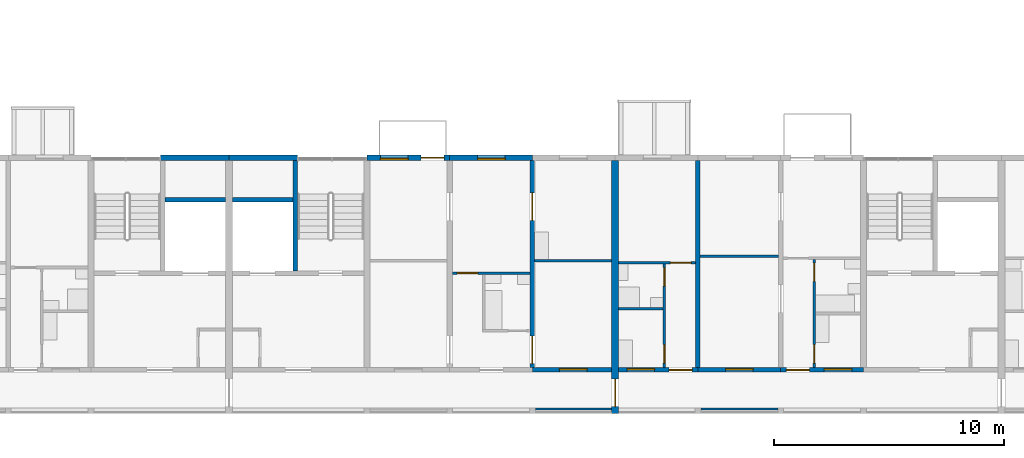
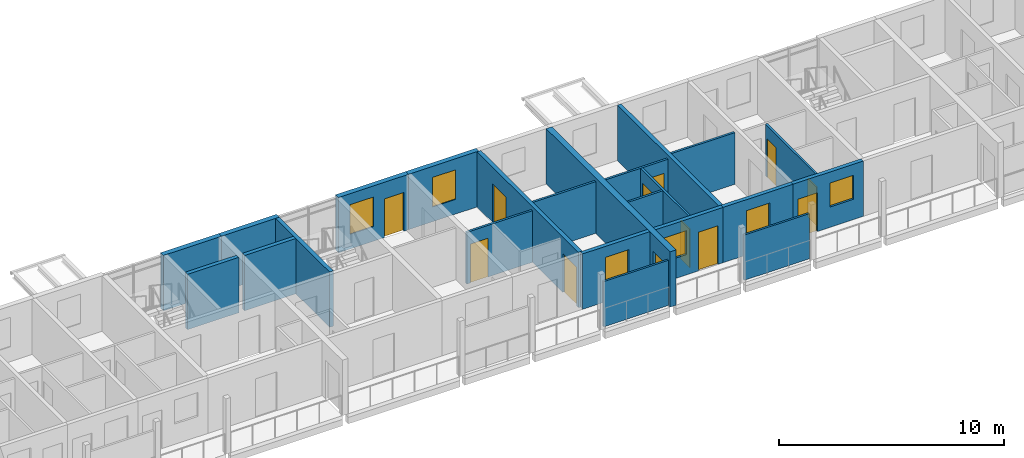
# One storey, part 32 of 93: 23 walls, 12 doors, 6 windows, 18 openings.
"""IFC4 building model written with IfcOpenShell, lengths in metres."""

from ifc_helpers import new_model, si_unit, direction, frame, frame_2d, origin, place, context, subcontext, project, spatial, rectangle, extrude, material, layer, layer_set, type_object, element, fill, save


model = new_model("IFC4")

# Units and contexts
model_context = context("Model", 3, precision=1e-05, world=origin(), true_north=direction((0.0, 1.0)))
body_context = subcontext(model_context, "Body", "Model", "MODEL_VIEW")
ifc_project = project(units=[si_unit("LENGTHUNIT", "METRE"), si_unit("AREAUNIT", "SQUARE_METRE"), si_unit("VOLUMEUNIT", "CUBIC_METRE"), si_unit("PLANEANGLEUNIT", "RADIAN"), si_unit("MASSUNIT", "GRAM", prefix="KILO")], contexts=[model_context])

# Site, building, storey
site_placement = place(None, origin())
site = spatial("IfcSite", under=ifc_project, at=site_placement, CompositionType="ELEMENT")
building_placement = place(site_placement, origin())
building = spatial("IfcBuilding", under=site, at=building_placement, Name="Ridgestep Commons", CompositionType="ELEMENT")
storey_placement = place(building_placement, frame((0.0, 0.0, 18.0)))
storey = spatial("IfcBuildingStorey", under=building, at=storey_placement, Name="L06", CompositionType="ELEMENT", Elevation=18.0)

# Walls
ifc_material_1 = material(Name="Concrete C30/37", Category="concrete")
ifc_layer_1 = layer(ifc_material_1, 0.199951171875)
ifc_layer_set_1 = layer_set([ifc_layer_1], Name="Core wall 200")
wall_type_1 = type_object("IfcWallType", Name="Core wall 200", PredefinedType="SHEAR", material=ifc_layer_set_1)
wall_1_placement = place(storey_placement, frame((42.824951171875, 21.050048828125, 0.0), z_axis=(0.0, 0.0, 1.0), x_axis=(1.0, 0.0, 0.0)))
element("IfcWall", 1, at=wall_1_placement, inside=storey, type_object=wall_type_1, Name="Core duct wall A2C L06", PredefinedType="SHEAR", context=body_context, shape_type="SweptSolid", body=[
    extrude(rectangle(XDim=2.625, YDim=0.199951171875, at=frame_2d((1.3125, 0.0))), origin(), (0.0, 0.0, 1.0), 3.0),
])
wall_2_placement = place(storey_placement, frame((48.47509765625, 17.949951171875, 0.0), z_axis=(0.0, 0.0, 1.0), x_axis=(0.0, 1.0, 0.0)))
element("IfcWall", 2, at=wall_2_placement, inside=storey, type_object=wall_type_1, Name="Core stair wall A3C L06", PredefinedType="SHEAR", context=body_context, shape_type="SweptSolid", body=[
    extrude(rectangle(XDim=4.800048828125, YDim=0.199951171875, at=frame_2d((2.39990234375, 0.0))), origin(), (0.0, 0.0, 1.0), 3.0),
])
wall_3_placement = place(storey_placement, frame((45.75, 21.050048828125, 0.0), z_axis=(0.0, 0.0, 1.0), x_axis=(1.0, 0.0, 0.0)))
element("IfcWall", 3, at=wall_3_placement, inside=storey, type_object=wall_type_1, Name="Core duct wall A3C L06", PredefinedType="SHEAR", context=body_context, shape_type="SweptSolid", body=[
    extrude(rectangle(XDim=2.625, YDim=0.199951171875, at=frame_2d((1.3125, 0.0))), origin(), (0.0, 0.0, 1.0), 3.0),
])

# Wall, openings, doors
ifc_material_2 = material(Name="Precast concrete C40/50", Category="concrete")
ifc_layer_2 = layer(ifc_material_2, 0.199951171875)
ifc_layer_set_2 = layer_set([ifc_layer_2], Name="Cross wall 200")
wall_type_2 = type_object("IfcWallType", Name="Cross wall 200", PredefinedType="SHEAR", material=ifc_layer_set_2)
wall_4_placement = place(storey_placement, frame((58.800048828125, 13.75, 0.0), z_axis=(0.0, 0.0, 1.0), x_axis=(0.0, 1.0, 0.0)))
wall_4 = element("IfcWall", 4, at=wall_4_placement, inside=storey, type_object=wall_type_2, Name="Cross wall A-06-0588", PredefinedType="SHEAR", context=body_context, shape_type="SweptSolid", body=[
    extrude(rectangle(XDim=9.0, YDim=0.199951171875, at=frame_2d((4.5, 0.0))), origin(), (0.0, 0.0, 1.0), 3.0),
])
opening_1_placement = place(wall_4_placement, frame((0.175048828125, 0.0, 0.0)))
opening_1 = element("IfcOpeningElement", 5, at=opening_1_placement, cuts=wall_4, Name="Opening A3-06a/6", PredefinedType="OPENING", context=body_context, shape_type="SweptSolid", body=[
    extrude(rectangle(XDim=1.199951171875, YDim=2.10009765625, at=frame_2d((0.60009765625, 1.050048828125))), frame((0.0, 0.10986328125, 0.0), z_axis=(0.0, -1.0, 0.0), x_axis=(1.0, 0.0, 0.0)), (0.0, 0.0, 1.0), 0.219970703125),
])
opening_2_placement = place(wall_4_placement, frame((6.39990234375, 0.0, 0.0)))
opening_2 = element("IfcOpeningElement", 6, at=opening_2_placement, cuts=wall_4, Name="Opening A3-06a/7", PredefinedType="OPENING", context=body_context, shape_type="SweptSolid", body=[
    extrude(rectangle(XDim=1.199951171875, YDim=2.10009765625, at=frame_2d((0.60009765625, 1.050048828125))), frame((0.0, 0.10986328125, 0.0), z_axis=(0.0, -1.0, 0.0), x_axis=(1.0, 0.0, 0.0)), (0.0, 0.0, 1.0), 0.219970703125),
])
ifc_material_3 = material(Name="Timber door leaf", Category="wood")
door_type_1 = type_object("IfcDoorType", Name="Double door 1200 x 2100", OperationType="DOUBLE_DOOR_SINGLE_SWING", PredefinedType="DOOR", material=ifc_material_3)
door_1_placement = place(opening_1_placement, origin())
door_1 = element("IfcDoor", 7, at=door_1_placement, inside=storey, type_object=door_type_1, Name="Double door A3-06a/6", OperationType="DOUBLE_DOOR_SINGLE_SWING", OverallHeight=2.10009765625, OverallWidth=1.199951171875, PredefinedType="DOOR", context=body_context, shape_type="SweptSolid", body=[
    extrude(rectangle(XDim=1.199951171875, YDim=2.10009765625, at=frame_2d((0.60009765625, 1.050048828125))), frame((0.0, 0.02490234375, 0.0), z_axis=(0.0, -1.0, 0.0), x_axis=(1.0, 0.0, 0.0)), (0.0, 0.0, 1.0), 0.050048828125),
])
fill(opening_1, door_1)
door_2_placement = place(opening_2_placement, origin())
door_2 = element("IfcDoor", 8, at=door_2_placement, inside=storey, type_object=door_type_1, Name="Double door A3-06a/7", OperationType="DOUBLE_DOOR_SINGLE_SWING", OverallHeight=2.10009765625, OverallWidth=1.199951171875, PredefinedType="DOOR", context=body_context, shape_type="SweptSolid", body=[
    extrude(rectangle(XDim=1.199951171875, YDim=2.10009765625, at=frame_2d((0.60009765625, 1.050048828125))), frame((0.0, 0.02490234375, 0.0), z_axis=(0.0, -1.0, 0.0), x_axis=(1.0, 0.0, 0.0)), (0.0, 0.0, 1.0), 0.050048828125),
])
fill(opening_2, door_2)

# Wall
wall_5_placement = place(storey_placement, frame((66.0, 13.75, 0.0), z_axis=(0.0, 0.0, 1.0), x_axis=(0.0, 1.0, 0.0)))
element("IfcWall", 9, at=wall_5_placement, inside=storey, type_object=wall_type_2, Name="Cross wall A-06-0660", PredefinedType="SHEAR", context=body_context, shape_type="SweptSolid", body=[
    extrude(rectangle(XDim=9.0, YDim=0.199951171875, at=frame_2d((4.5, 0.0))), origin(), (0.0, 0.0, 1.0), 3.0),
])

# Wall, opening, door
ifc_material_4 = material(Name="Precast concrete C40/50", Category="concrete")
ifc_layer_3 = layer(ifc_material_4, 0.300048828125)
ifc_layer_set_3 = layer_set([ifc_layer_3], Name="Division wall 300")
wall_type_3 = type_object("IfcWallType", Name="Division wall 300", PredefinedType="SHEAR", material=ifc_layer_set_3)
wall_6_placement = place(storey_placement, frame((62.39990234375, 11.75, 0.0), z_axis=(0.0, 0.0, 1.0), x_axis=(0.0, 1.0, 0.0)))
wall_6 = element("IfcWall", 10, at=wall_6_placement, inside=storey, type_object=wall_type_3, Name="Cross wall A-06-0624", PredefinedType="SHEAR", context=body_context, shape_type="SweptSolid", body=[
    extrude(rectangle(XDim=11.0, YDim=0.300048828125, at=frame_2d((5.5, 0.0))), origin(), (0.0, 0.0, 1.0), 3.0),
])
opening_3_placement = place(wall_6_placement, frame((0.300048828125, 0.0, 0.0)))
opening_3 = element("IfcOpeningElement", 11, at=opening_3_placement, cuts=wall_6, Name="Opening A/06/G0624", PredefinedType="OPENING", context=body_context, shape_type="SweptSolid", body=[
    extrude(rectangle(XDim=1.199951171875, YDim=2.10009765625, at=frame_2d((0.60009765625, 1.050048828125))), frame((0.0, 0.159912109375, 0.0), z_axis=(0.0, -1.0, 0.0), x_axis=(1.0, 0.0, 0.0)), (0.0, 0.0, 1.0), 0.320068359375),
])
ifc_material_5 = material(Name="Steel fire door", Category="steel")
door_type_2 = type_object("IfcDoorType", Name="Division fire door 1200 x 2100 EI 240", OperationType="DOUBLE_DOOR_SINGLE_SWING", PredefinedType="DOOR", material=ifc_material_5)
door_3_placement = place(opening_3_placement, origin())
door_3 = element("IfcDoor", 12, at=door_3_placement, inside=storey, type_object=door_type_2, Name="Division fire door A/06/G0624", OperationType="DOUBLE_DOOR_SINGLE_SWING", OverallHeight=2.10009765625, OverallWidth=1.199951171875, PredefinedType="DOOR", context=body_context, shape_type="SweptSolid", body=[
    extrude(rectangle(XDim=1.199951171875, YDim=2.10009765625, at=frame_2d((0.60009765625, 1.050048828125))), frame((0.0, 0.02490234375, 0.0), z_axis=(0.0, -1.0, 0.0), x_axis=(1.0, 0.0, 0.0)), (0.0, 0.0, 1.0), 0.050048828125),
])
fill(opening_3, door_3)

# Walls
ifc_material_6 = material(Name="Precast concrete C40/50", Category="concrete")
ifc_layer_4 = layer(ifc_material_6, 0.25)
ifc_layer_set_4 = layer_set([ifc_layer_4], Name="North facade panel 250")
wall_type_4 = type_object("IfcWallType", Name="North facade panel 250", PredefinedType="SOLIDWALL", material=ifc_layer_set_4)
wall_7_placement = place(storey_placement, frame((42.625, 22.875, 0.0), z_axis=(0.0, 0.0, 1.0), x_axis=(1.0, 0.0, 0.0)))
element("IfcWall", 13, at=wall_7_placement, inside=storey, type_object=wall_type_4, Name="North panel A2C L06", PredefinedType="SOLIDWALL", context=body_context, shape_type="SweptSolid", body=[
    extrude(rectangle(XDim=2.97509765625, YDim=0.25, at=frame_2d((1.487548828125, 0.0))), origin(), (0.0, 0.0, 1.0), 3.0),
])
wall_8_placement = place(storey_placement, frame((45.60009765625, 22.875, 0.0), z_axis=(0.0, 0.0, 1.0), x_axis=(1.0, 0.0, 0.0)))
element("IfcWall", 14, at=wall_8_placement, inside=storey, type_object=wall_type_4, Name="North panel A3C L06", PredefinedType="SOLIDWALL", context=body_context, shape_type="SweptSolid", body=[
    extrude(rectangle(XDim=2.974853515625, YDim=0.25, at=frame_2d((1.4873046875, 0.0))), origin(), (0.0, 0.0, 1.0), 3.0),
])

# Wall, openings, door, window
wall_9_placement = place(storey_placement, frame((51.60009765625, 22.875, 0.0), z_axis=(0.0, 0.0, 1.0), x_axis=(1.0, 0.0, 0.0)))
wall_9 = element("IfcWall", 15, at=wall_9_placement, inside=storey, type_object=wall_type_4, Name="North panel A3T3 L06", PredefinedType="SOLIDWALL", context=body_context, shape_type="SweptSolid", body=[
    extrude(rectangle(XDim=3.599853515625, YDim=0.25, at=frame_2d((1.7998046875, 0.0))), origin(), (0.0, 0.0, 1.0), 3.0),
])
opening_4_placement = place(wall_9_placement, frame((0.591064453125, 0.0, 0.800048828125)))
opening_4 = element("IfcOpeningElement", 16, at=opening_4_placement, cuts=wall_9, Name="Opening W11", PredefinedType="OPENING", context=body_context, shape_type="SweptSolid", body=[
    extrude(rectangle(XDim=1.199951171875, YDim=1.60009765625, at=frame_2d((0.60009765625, 0.800048828125))), frame((0.0, 0.135009765625, 0.0), z_axis=(0.0, -1.0, 0.0), x_axis=(1.0, 0.0, 0.0)), (0.0, 0.0, 1.0), 0.27001953125),
])
opening_5_placement = place(wall_9_placement, frame((2.35693359375, 0.0, 0.0)))
opening_5 = element("IfcOpeningElement", 17, at=opening_5_placement, cuts=wall_9, Name="Opening A3-06a/8", PredefinedType="OPENING", context=body_context, shape_type="SweptSolid", body=[
    extrude(rectangle(XDim=1.0, YDim=2.10009765625, at=frame_2d((0.5, 1.050048828125))), frame((0.0, 0.135009765625, 0.0), z_axis=(0.0, -1.0, 0.0), x_axis=(1.0, 0.0, 0.0)), (0.0, 0.0, 1.0), 0.27001953125),
])
ifc_material_7 = material(Name="Aluminium and glass", Category="aluminium")
door_type_3 = type_object("IfcDoorType", Name="Balcony door 1000 x 2100", OperationType="NOTDEFINED", PredefinedType="DOOR", material=ifc_material_7)
door_4_placement = place(opening_5_placement, origin())
door_4 = element("IfcDoor", 18, at=door_4_placement, inside=storey, type_object=door_type_3, Name="Balcony door A3-06a/8", OperationType="SINGLE_SWING_LEFT", OverallHeight=2.10009765625, OverallWidth=1.0, PredefinedType="DOOR", context=body_context, shape_type="SweptSolid", body=[
    extrude(rectangle(XDim=1.0, YDim=2.10009765625, at=frame_2d((0.5, 1.050048828125))), frame((0.0, 0.02490234375, 0.0), z_axis=(0.0, -1.0, 0.0), x_axis=(1.0, 0.0, 0.0)), (0.0, 0.0, 1.0), 0.050048828125),
])
fill(opening_5, door_4)
ifc_material_8 = material(Name="Aluminium 6063-T6 and glass", Category="aluminium")
window_type_1 = type_object("IfcWindowType", Name="Flat window 1200 x 1600", PartitioningType="SINGLE_PANEL", PredefinedType="WINDOW", material=ifc_material_8)
window_1_placement = place(opening_4_placement, origin())
window_1 = element("IfcWindow", 19, at=window_1_placement, inside=storey, type_object=window_type_1, Name="Window A3-06a 2", OverallHeight=1.60009765625, OverallWidth=1.199951171875, PartitioningType="SINGLE_PANEL", PredefinedType="WINDOW", context=body_context, shape_type="SweptSolid", body=[
    extrude(rectangle(XDim=1.199951171875, YDim=1.60009765625, at=frame_2d((0.60009765625, 0.800048828125))), frame((0.0, -0.02490234375, 0.0), z_axis=(0.0, -1.0, 0.0), x_axis=(1.0, 0.0, 0.0)), (0.0, 0.0, 1.0), 0.06005859375),
])
fill(opening_4, window_1)

# Wall, opening, window
wall_10_placement = place(storey_placement, frame((55.199951171875, 22.875, 0.0), z_axis=(0.0, 0.0, 1.0), x_axis=(1.0, 0.0, 0.0)))
wall_10 = element("IfcWall", 20, at=wall_10_placement, inside=storey, type_object=wall_type_4, Name="North panel A3T2 L06", PredefinedType="SOLIDWALL", context=body_context, shape_type="SweptSolid", body=[
    extrude(rectangle(XDim=3.60009765625, YDim=0.25, at=frame_2d((1.800048828125, 0.0))), origin(), (0.0, 0.0, 1.0), 3.0),
])
opening_6_placement = place(wall_10_placement, frame((1.21240234375, 0.0, 0.800048828125)))
opening_6 = element("IfcOpeningElement", 21, at=opening_6_placement, cuts=wall_10, Name="Opening W11", PredefinedType="OPENING", context=body_context, shape_type="SweptSolid", body=[
    extrude(rectangle(XDim=1.199951171875, YDim=1.60009765625, at=frame_2d((0.60009765625, 0.800048828125))), frame((0.0, 0.135009765625, 0.0), z_axis=(0.0, -1.0, 0.0), x_axis=(1.0, 0.0, 0.0)), (0.0, 0.0, 1.0), 0.27001953125),
])
window_2_placement = place(opening_6_placement, origin())
window_2 = element("IfcWindow", 22, at=window_2_placement, inside=storey, type_object=window_type_1, Name="Window A3-06a 5", OverallHeight=1.60009765625, OverallWidth=1.199951171875, PartitioningType="SINGLE_PANEL", PredefinedType="WINDOW", context=body_context, shape_type="SweptSolid", body=[
    extrude(rectangle(XDim=1.199951171875, YDim=1.60009765625, at=frame_2d((0.60009765625, 0.800048828125))), frame((0.0, -0.02490234375, 0.0), z_axis=(0.0, -1.0, 0.0), x_axis=(1.0, 0.0, 0.0)), (0.0, 0.0, 1.0), 0.06005859375),
])
fill(opening_6, window_2)

# Wall, opening, door
ifc_material_9 = material(Name="Common brick 110 mm", Category="masonry")
ifc_layer_5 = layer(ifc_material_9, 0.110107421875)
ifc_layer_set_5 = layer_set([ifc_layer_5], Name="Partition 110")
wall_type_5 = type_object("IfcWallType", Name="Partition 110", PredefinedType="PARTITIONING", material=ifc_layer_set_5)
wall_11_placement = place(storey_placement, frame((55.324951171875, 17.864990234375, 0.0), z_axis=(0.0, 0.0, 1.0), x_axis=(1.0, 0.0, 0.0)))
wall_11 = element("IfcWall", 23, at=wall_11_placement, inside=storey, type_object=wall_type_5, Name="Partition A3-06a", PredefinedType="PARTITIONING", context=body_context, shape_type="SweptSolid", body=[
    extrude(rectangle(XDim=3.375, YDim=0.110107421875, at=frame_2d((1.6875, 0.0))), origin(), (0.0, 0.0, 1.0), 2.800048828125),
])
opening_7_placement = place(wall_11_placement, frame((0.199951171875, 0.0, 0.0)))
opening_7 = element("IfcOpeningElement", 24, at=opening_7_placement, cuts=wall_11, Name="Opening A3-06a/3", PredefinedType="OPENING", context=body_context, shape_type="SweptSolid", body=[
    extrude(rectangle(XDim=0.89990234375, YDim=2.10009765625, at=frame_2d((0.449951171875, 1.050048828125))), frame((0.0, 0.06494140625, 0.0), z_axis=(0.0, -1.0, 0.0), x_axis=(1.0, 0.0, 0.0)), (0.0, 0.0, 1.0), 0.130126953125),
])
ifc_material_10 = material(Name="Timber door leaf", Category="wood")
door_type_4 = type_object("IfcDoorType", Name="Internal door 900 x 2100", OperationType="NOTDEFINED", PredefinedType="DOOR", material=ifc_material_10)
door_5_placement = place(opening_7_placement, origin())
door_5 = element("IfcDoor", 25, at=door_5_placement, inside=storey, type_object=door_type_4, Name="Internal door A3-06a/3", OperationType="SINGLE_SWING_LEFT", OverallHeight=2.10009765625, OverallWidth=0.89990234375, PredefinedType="DOOR", context=body_context, shape_type="SweptSolid", body=[
    extrude(rectangle(XDim=0.89990234375, YDim=2.10009765625, at=frame_2d((0.449951171875, 1.050048828125))), frame((0.0, 0.02490234375, 0.0), z_axis=(0.0, -1.0, 0.0), x_axis=(1.0, 0.0, 0.0)), (0.0, 0.0, 1.0), 0.050048828125),
])
fill(opening_7, door_5)

# Walls
wall_12_placement = place(storey_placement, frame((58.89990234375, 18.405029296875, 0.0), z_axis=(0.0, 0.0, 1.0), x_axis=(1.0, 0.0, 0.0)))
element("IfcWall", 26, at=wall_12_placement, inside=storey, type_object=wall_type_5, Name="Partition A3-06a", PredefinedType="PARTITIONING", context=body_context, shape_type="SweptSolid", body=[
    extrude(rectangle(XDim=3.35009765625, YDim=0.110107421875, at=frame_2d((1.675048828125, 0.0))), origin(), (0.0, 0.0, 1.0), 2.800048828125),
])
wall_13_placement = place(storey_placement, frame((62.550048828125, 16.304931640625, 0.0), z_axis=(0.0, 0.0, 1.0), x_axis=(1.0, 0.0, 0.0)))
element("IfcWall", 27, at=wall_13_placement, inside=storey, type_object=wall_type_5, Name="Partition A4-06a", PredefinedType="PARTITIONING", context=body_context, shape_type="SweptSolid", body=[
    extrude(rectangle(XDim=1.93994140625, YDim=0.110107421875, at=frame_2d((0.969970703125, 0.0))), origin(), (0.0, 0.0, 1.0), 2.800048828125),
])

# Wall, openings, doors
wall_14_placement = place(storey_placement, frame((64.544921875, 13.75, 0.0), z_axis=(0.0, 0.0, 1.0), x_axis=(0.0, 1.0, 0.0)))
wall_14 = element("IfcWall", 28, at=wall_14_placement, inside=storey, type_object=wall_type_5, Name="Partition A4-06a", PredefinedType="PARTITIONING", context=body_context, shape_type="SweptSolid", body=[
    extrude(rectangle(XDim=4.5, YDim=0.110107421875, at=frame_2d((2.25, 0.0))), origin(), (0.0, 0.0, 1.0), 2.800048828125),
])
opening_8_placement = place(wall_14_placement, frame((0.199951171875, 0.0, 0.0)))
opening_8 = element("IfcOpeningElement", 29, at=opening_8_placement, cuts=wall_14, Name="Opening A4-06a/2", PredefinedType="OPENING", context=body_context, shape_type="SweptSolid", body=[
    extrude(rectangle(XDim=0.800048828125, YDim=2.10009765625, at=frame_2d((0.39990234375, 1.050048828125))), frame((0.0, 0.06494140625, 0.0), z_axis=(0.0, -1.0, 0.0), x_axis=(1.0, 0.0, 0.0)), (0.0, 0.0, 1.0), 0.130126953125),
])
opening_9_placement = place(wall_14_placement, frame((3.550048828125, 0.0, 0.0)))
opening_9 = element("IfcOpeningElement", 30, at=opening_9_placement, cuts=wall_14, Name="Opening A4-06a/3", PredefinedType="OPENING", context=body_context, shape_type="SweptSolid", body=[
    extrude(rectangle(XDim=0.800048828125, YDim=2.10009765625, at=frame_2d((0.39990234375, 1.050048828125))), frame((0.0, 0.06494140625, 0.0), z_axis=(0.0, -1.0, 0.0), x_axis=(1.0, 0.0, 0.0)), (0.0, 0.0, 1.0), 0.130126953125),
])
ifc_material_11 = material(Name="Timber door leaf", Category="wood")
door_type_5 = type_object("IfcDoorType", Name="Internal door 800 x 2100", OperationType="NOTDEFINED", PredefinedType="DOOR", material=ifc_material_11)
door_6_placement = place(opening_8_placement, origin())
door_6 = element("IfcDoor", 31, at=door_6_placement, inside=storey, type_object=door_type_5, Name="Internal door A4-06a/2", OperationType="SINGLE_SWING_LEFT", OverallHeight=2.10009765625, OverallWidth=0.800048828125, PredefinedType="DOOR", context=body_context, shape_type="SweptSolid", body=[
    extrude(rectangle(XDim=0.800048828125, YDim=2.10009765625, at=frame_2d((0.39990234375, 1.050048828125))), frame((0.0, 0.02490234375, 0.0), z_axis=(0.0, -1.0, 0.0), x_axis=(1.0, 0.0, 0.0)), (0.0, 0.0, 1.0), 0.050048828125),
])
fill(opening_8, door_6)
door_7_placement = place(opening_9_placement, origin())
door_7 = element("IfcDoor", 32, at=door_7_placement, inside=storey, type_object=door_type_5, Name="Internal door A4-06a/3", OperationType="SINGLE_SWING_RIGHT", OverallHeight=2.10009765625, OverallWidth=0.800048828125, PredefinedType="DOOR", context=body_context, shape_type="SweptSolid", body=[
    extrude(rectangle(XDim=0.800048828125, YDim=2.10009765625, at=frame_2d((0.39990234375, 1.050048828125))), frame((0.0, 0.02490234375, 0.0), z_axis=(0.0, -1.0, 0.0), x_axis=(1.0, 0.0, 0.0)), (0.0, 0.0, 1.0), 0.050048828125),
])
fill(opening_9, door_7)

# Wall, opening, door
wall_15_placement = place(storey_placement, frame((62.550048828125, 18.304931640625, 0.0), z_axis=(0.0, 0.0, 1.0), x_axis=(1.0, 0.0, 0.0)))
wall_15 = element("IfcWall", 33, at=wall_15_placement, inside=storey, type_object=wall_type_5, Name="Partition A4-06a", PredefinedType="PARTITIONING", context=body_context, shape_type="SweptSolid", body=[
    extrude(rectangle(XDim=3.349853515625, YDim=0.110107421875, at=frame_2d((1.6748046875, 0.0))), origin(), (0.0, 0.0, 1.0), 2.800048828125),
])
opening_10_placement = place(wall_15_placement, frame((2.25, 0.0, 0.0)))
opening_10 = element("IfcOpeningElement", 34, at=opening_10_placement, cuts=wall_15, Name="Opening A4-06a/4", PredefinedType="OPENING", context=body_context, shape_type="SweptSolid", body=[
    extrude(rectangle(XDim=0.89990234375, YDim=2.10009765625, at=frame_2d((0.449951171875, 1.050048828125))), frame((0.0, 0.06494140625, 0.0), z_axis=(0.0, -1.0, 0.0), x_axis=(1.0, 0.0, 0.0)), (0.0, 0.0, 1.0), 0.130126953125),
])
door_8_placement = place(opening_10_placement, origin())
door_8 = element("IfcDoor", 35, at=door_8_placement, inside=storey, type_object=door_type_4, Name="Internal door A4-06a/4", OperationType="SINGLE_SWING_LEFT", OverallHeight=2.10009765625, OverallWidth=0.89990234375, PredefinedType="DOOR", context=body_context, shape_type="SweptSolid", body=[
    extrude(rectangle(XDim=0.89990234375, YDim=2.10009765625, at=frame_2d((0.449951171875, 1.050048828125))), frame((0.0, 0.02490234375, 0.0), z_axis=(0.0, -1.0, 0.0), x_axis=(1.0, 0.0, 0.0)), (0.0, 0.0, 1.0), 0.050048828125),
])
fill(opening_10, door_8)

# Wall, openings, doors
wall_16_placement = place(storey_placement, frame((71.054931640625, 13.75, 0.0), z_axis=(0.0, 0.0, 1.0), x_axis=(0.0, 1.0, 0.0)))
wall_16 = element("IfcWall", 36, at=wall_16_placement, inside=storey, type_object=wall_type_5, Name="Partition A4-06b", PredefinedType="PARTITIONING", context=body_context, shape_type="SweptSolid", body=[
    extrude(rectangle(XDim=4.699951171875, YDim=0.110107421875, at=frame_2d((2.35009765625, 0.0))), origin(), (0.0, 0.0, 1.0), 2.800048828125),
])
opening_11_placement = place(wall_16_placement, frame((0.199951171875, 0.0, 0.0)))
opening_11 = element("IfcOpeningElement", 37, at=opening_11_placement, cuts=wall_16, Name="Opening A4-06b/2", PredefinedType="OPENING", context=body_context, shape_type="SweptSolid", body=[
    extrude(rectangle(XDim=0.800048828125, YDim=2.10009765625, at=frame_2d((0.39990234375, 1.050048828125))), frame((0.0, 0.06494140625, 0.0), z_axis=(0.0, -1.0, 0.0), x_axis=(1.0, 0.0, 0.0)), (0.0, 0.0, 1.0), 0.130126953125),
])
opening_12_placement = place(wall_16_placement, frame((3.75, 0.0, 0.0)))
opening_12 = element("IfcOpeningElement", 38, at=opening_12_placement, cuts=wall_16, Name="Opening A4-06b/3", PredefinedType="OPENING", context=body_context, shape_type="SweptSolid", body=[
    extrude(rectangle(XDim=0.800048828125, YDim=2.10009765625, at=frame_2d((0.39990234375, 1.050048828125))), frame((0.0, 0.06494140625, 0.0), z_axis=(0.0, -1.0, 0.0), x_axis=(1.0, 0.0, 0.0)), (0.0, 0.0, 1.0), 0.130126953125),
])
door_9_placement = place(opening_11_placement, origin())
door_9 = element("IfcDoor", 39, at=door_9_placement, inside=storey, type_object=door_type_5, Name="Internal door A4-06b/2", OperationType="SINGLE_SWING_RIGHT", OverallHeight=2.10009765625, OverallWidth=0.800048828125, PredefinedType="DOOR", context=body_context, shape_type="SweptSolid", body=[
    extrude(rectangle(XDim=0.800048828125, YDim=2.10009765625, at=frame_2d((0.39990234375, 1.050048828125))), frame((0.0, 0.02490234375, 0.0), z_axis=(0.0, -1.0, 0.0), x_axis=(1.0, 0.0, 0.0)), (0.0, 0.0, 1.0), 0.050048828125),
])
fill(opening_11, door_9)
door_10_placement = place(opening_12_placement, origin())
door_10 = element("IfcDoor", 40, at=door_10_placement, inside=storey, type_object=door_type_5, Name="Internal door A4-06b/3", OperationType="SINGLE_SWING_LEFT", OverallHeight=2.10009765625, OverallWidth=0.800048828125, PredefinedType="DOOR", context=body_context, shape_type="SweptSolid", body=[
    extrude(rectangle(XDim=0.800048828125, YDim=2.10009765625, at=frame_2d((0.39990234375, 1.050048828125))), frame((0.0, 0.02490234375, 0.0), z_axis=(0.0, -1.0, 0.0), x_axis=(1.0, 0.0, 0.0)), (0.0, 0.0, 1.0), 0.050048828125),
])
fill(opening_12, door_10)

# Walls
wall_17_placement = place(storey_placement, frame((66.10009765625, 18.60498046875, 0.0), z_axis=(0.0, 0.0, 1.0), x_axis=(1.0, 0.0, 0.0)))
element("IfcWall", 41, at=wall_17_placement, inside=storey, type_object=wall_type_5, Name="Partition A4-06b", PredefinedType="PARTITIONING", context=body_context, shape_type="SweptSolid", body=[
    extrude(rectangle(XDim=3.39990234375, YDim=0.110107421875, at=frame_2d((1.699951171875, 0.0))), origin(), (0.0, 0.0, 1.0), 2.800048828125),
])
ifc_material_12 = material(Name="Precast concrete C30/37", Category="concrete")
ifc_layer_6 = layer(ifc_material_12, 0.10009765625)
ifc_layer_set_6 = layer_set([ifc_layer_6], Name="Perforated gallery screen 3325 x 2450 x 100")
wall_type_6 = type_object("IfcWallType", Name="Perforated gallery screen 3325 x 2450 x 100", PredefinedType="SOLIDWALL", material=ifc_layer_set_6)
wall_18_placement = place(storey_placement, frame((58.925048828125, 11.949951171875, 0.0), z_axis=(0.0, 0.0, 1.0), x_axis=(1.0, 0.0, 0.0)))
element("IfcWall", 42, at=wall_18_placement, inside=storey, type_object=wall_type_6, Name="Gallery screen A3T1 06", PredefinedType="SOLIDWALL", context=body_context, shape_type="SweptSolid", body=[
    extrude(rectangle(XDim=3.324951171875, YDim=0.10009765625, at=frame_2d((1.66259765625, 0.0))), origin(), (0.0, 0.0, 1.0), 2.449951171875),
])
ifc_material_13 = material(Name="Precast concrete C30/37", Category="concrete")
ifc_layer_7 = layer(ifc_material_13, 0.10009765625)
ifc_layer_set_7 = layer_set([ifc_layer_7], Name="Perforated gallery screen 3350 x 2450 x 100")
wall_type_7 = type_object("IfcWallType", Name="Perforated gallery screen 3350 x 2450 x 100", PredefinedType="SOLIDWALL", material=ifc_layer_set_7)
wall_19_placement = place(storey_placement, frame((66.125, 11.949951171875, 0.0), z_axis=(0.0, 0.0, 1.0), x_axis=(1.0, 0.0, 0.0)))
element("IfcWall", 43, at=wall_19_placement, inside=storey, type_object=wall_type_7, Name="Gallery screen A4T2 06", PredefinedType="SOLIDWALL", context=body_context, shape_type="SweptSolid", body=[
    extrude(rectangle(XDim=3.35009765625, YDim=0.10009765625, at=frame_2d((1.675048828125, 0.0))), origin(), (0.0, 0.0, 1.0), 2.449951171875),
])

# Wall, opening, window
ifc_material_14 = material(Name="Precast concrete C40/50", Category="concrete")
ifc_layer_8 = layer(ifc_material_14, 0.199951171875)
ifc_layer_set_8 = layer_set([ifc_layer_8], Name="South facade panel 200")
wall_type_8 = type_object("IfcWallType", Name="South facade panel 200", PredefinedType="SOLIDWALL", material=ifc_layer_set_8)
wall_20_placement = place(storey_placement, frame((58.800048828125, 13.64990234375, 0.0), z_axis=(0.0, 0.0, 1.0), x_axis=(1.0, 0.0, 0.0)))
wall_20 = element("IfcWall", 44, at=wall_20_placement, inside=storey, type_object=wall_type_8, Name="South panel A3T1 L06", PredefinedType="SOLIDWALL", context=body_context, shape_type="SweptSolid", body=[
    extrude(rectangle(XDim=3.449951171875, YDim=0.199951171875, at=frame_2d((1.72509765625, 0.0))), origin(), (0.0, 0.0, 1.0), 3.0),
])
opening_13_placement = place(wall_20_placement, frame((1.175048828125, 0.0, 0.800048828125)))
opening_13 = element("IfcOpeningElement", 45, at=opening_13_placement, cuts=wall_20, Name="Opening W11", PredefinedType="OPENING", context=body_context, shape_type="SweptSolid", body=[
    extrude(rectangle(XDim=1.199951171875, YDim=1.60009765625, at=frame_2d((0.60009765625, 0.800048828125))), frame((0.0, 0.10986328125, 0.0), z_axis=(0.0, -1.0, 0.0), x_axis=(1.0, 0.0, 0.0)), (0.0, 0.0, 1.0), 0.219970703125),
])
window_3_placement = place(opening_13_placement, origin())
window_3 = element("IfcWindow", 46, at=window_3_placement, inside=storey, type_object=window_type_1, Name="Window A3-06a 3", OverallHeight=1.60009765625, OverallWidth=1.199951171875, PartitioningType="SINGLE_PANEL", PredefinedType="WINDOW", context=body_context, shape_type="SweptSolid", body=[
    extrude(rectangle(XDim=1.199951171875, YDim=1.60009765625, at=frame_2d((0.60009765625, 0.800048828125))), frame((0.0, 0.06005859375, 0.0), z_axis=(0.0, -1.0, 0.0), x_axis=(1.0, 0.0, 0.0)), (0.0, 0.0, 1.0), 0.06005859375),
])
fill(opening_13, window_3)

# Wall, openings, door, window
wall_21_placement = place(storey_placement, frame((62.550048828125, 13.64990234375, 0.0), z_axis=(0.0, 0.0, 1.0), x_axis=(1.0, 0.0, 0.0)))
wall_21 = element("IfcWall", 47, at=wall_21_placement, inside=storey, type_object=wall_type_8, Name="South panel A4T1 L06", PredefinedType="SOLIDWALL", context=body_context, shape_type="SweptSolid", body=[
    extrude(rectangle(XDim=3.449951171875, YDim=0.199951171875, at=frame_2d((1.72509765625, 0.0))), origin(), (0.0, 0.0, 1.0), 3.0),
])
opening_14_placement = place(wall_21_placement, frame((0.3701171875, 0.0, 1.10009765625)))
opening_14 = element("IfcOpeningElement", 48, at=opening_14_placement, cuts=wall_21, Name="Opening W08", PredefinedType="OPENING", context=body_context, shape_type="SweptSolid", body=[
    extrude(rectangle(XDim=1.199951171875, YDim=1.300048828125, at=frame_2d((0.60009765625, 0.64990234375))), frame((0.0, 0.10986328125, 0.0), z_axis=(0.0, -1.0, 0.0), x_axis=(1.0, 0.0, 0.0)), (0.0, 0.0, 1.0), 0.219970703125),
])
opening_15_placement = place(wall_21_placement, frame((2.199951171875, 0.0, 0.0)))
opening_15 = element("IfcOpeningElement", 49, at=opening_15_placement, cuts=wall_21, Name="Opening A4-06a/1", PredefinedType="OPENING", context=body_context, shape_type="SweptSolid", body=[
    extrude(rectangle(XDim=1.0, YDim=2.10009765625, at=frame_2d((0.5, 1.050048828125))), frame((0.0, 0.10986328125, 0.0), z_axis=(0.0, -1.0, 0.0), x_axis=(1.0, 0.0, 0.0)), (0.0, 0.0, 1.0), 0.219970703125),
])
ifc_material_15 = material(Name="Timber door leaf", Category="wood")
door_type_6 = type_object("IfcDoorType", Name="Flat entrance door 1000 x 2100 FD30S", OperationType="NOTDEFINED", PredefinedType="DOOR", material=ifc_material_15)
door_11_placement = place(opening_15_placement, origin())
door_11 = element("IfcDoor", 50, at=door_11_placement, inside=storey, type_object=door_type_6, Name="Flat entrance door A4-06a/1", OperationType="SINGLE_SWING_RIGHT", OverallHeight=2.10009765625, OverallWidth=1.0, PredefinedType="DOOR", context=body_context, shape_type="SweptSolid", body=[
    extrude(rectangle(XDim=1.0, YDim=2.10009765625, at=frame_2d((0.5, 1.050048828125))), frame((0.0, 0.02490234375, 0.0), z_axis=(0.0, -1.0, 0.0), x_axis=(1.0, 0.0, 0.0)), (0.0, 0.0, 1.0), 0.050048828125),
])
fill(opening_15, door_11)
ifc_material_16 = material(Name="Aluminium 6063-T6 and glass", Category="aluminium")
window_type_2 = type_object("IfcWindowType", Name="Flat window 1200 x 1300", PartitioningType="SINGLE_PANEL", PredefinedType="WINDOW", material=ifc_material_16)
window_4_placement = place(opening_14_placement, origin())
window_4 = element("IfcWindow", 51, at=window_4_placement, inside=storey, type_object=window_type_2, Name="Window A4-06a 1", OverallHeight=1.300048828125, OverallWidth=1.199951171875, PartitioningType="SINGLE_PANEL", PredefinedType="WINDOW", context=body_context, shape_type="SweptSolid", body=[
    extrude(rectangle(XDim=1.199951171875, YDim=1.300048828125, at=frame_2d((0.60009765625, 0.64990234375))), frame((0.0, 0.06005859375, 0.0), z_axis=(0.0, -1.0, 0.0), x_axis=(1.0, 0.0, 0.0)), (0.0, 0.0, 1.0), 0.06005859375),
])
fill(opening_14, window_4)

# Wall, opening, window
wall_22_placement = place(storey_placement, frame((66.0, 13.64990234375, 0.0), z_axis=(0.0, 0.0, 1.0), x_axis=(1.0, 0.0, 0.0)))
wall_22 = element("IfcWall", 52, at=wall_22_placement, inside=storey, type_object=wall_type_8, Name="South panel A4T2 L06", PredefinedType="SOLIDWALL", context=body_context, shape_type="SweptSolid", body=[
    extrude(rectangle(XDim=3.60009765625, YDim=0.199951171875, at=frame_2d((1.800048828125, 0.0))), origin(), (0.0, 0.0, 1.0), 3.0),
])
opening_16_placement = place(wall_22_placement, frame((1.199951171875, 0.0, 0.800048828125)))
opening_16 = element("IfcOpeningElement", 53, at=opening_16_placement, cuts=wall_22, Name="Opening W11", PredefinedType="OPENING", context=body_context, shape_type="SweptSolid", body=[
    extrude(rectangle(XDim=1.199951171875, YDim=1.60009765625, at=frame_2d((0.60009765625, 0.800048828125))), frame((0.0, 0.10986328125, 0.0), z_axis=(0.0, -1.0, 0.0), x_axis=(1.0, 0.0, 0.0)), (0.0, 0.0, 1.0), 0.219970703125),
])
window_5_placement = place(opening_16_placement, origin())
window_5 = element("IfcWindow", 54, at=window_5_placement, inside=storey, type_object=window_type_1, Name="Window A4-06b 1", OverallHeight=1.60009765625, OverallWidth=1.199951171875, PartitioningType="SINGLE_PANEL", PredefinedType="WINDOW", context=body_context, shape_type="SweptSolid", body=[
    extrude(rectangle(XDim=1.199951171875, YDim=1.60009765625, at=frame_2d((0.60009765625, 0.800048828125))), frame((0.0, 0.06005859375, 0.0), z_axis=(0.0, -1.0, 0.0), x_axis=(1.0, 0.0, 0.0)), (0.0, 0.0, 1.0), 0.06005859375),
])
fill(opening_16, window_5)

# Wall, openings, door, window
wall_23_placement = place(storey_placement, frame((69.60009765625, 13.64990234375, 0.0), z_axis=(0.0, 0.0, 1.0), x_axis=(1.0, 0.0, 0.0)))
wall_23 = element("IfcWall", 55, at=wall_23_placement, inside=storey, type_object=wall_type_8, Name="South panel A4T3 L06", PredefinedType="SOLIDWALL", context=body_context, shape_type="SweptSolid", body=[
    extrude(rectangle(XDim=3.599853515625, YDim=0.199951171875, at=frame_2d((1.7998046875, 0.0))), origin(), (0.0, 0.0, 1.0), 3.0),
])
opening_17_placement = place(wall_23_placement, frame((1.892578125, 0.0, 1.10009765625)))
opening_17 = element("IfcOpeningElement", 56, at=opening_17_placement, cuts=wall_23, Name="Opening W08", PredefinedType="OPENING", context=body_context, shape_type="SweptSolid", body=[
    extrude(rectangle(XDim=1.199951171875, YDim=1.300048828125, at=frame_2d((0.60009765625, 0.64990234375))), frame((0.0, 0.10986328125, 0.0), z_axis=(0.0, -1.0, 0.0), x_axis=(1.0, 0.0, 0.0)), (0.0, 0.0, 1.0), 0.219970703125),
])
opening_18_placement = place(wall_23_placement, frame((0.25, 0.0, 0.0)))
opening_18 = element("IfcOpeningElement", 57, at=opening_18_placement, cuts=wall_23, Name="Opening A4-06b/1", PredefinedType="OPENING", context=body_context, shape_type="SweptSolid", body=[
    extrude(rectangle(XDim=1.0, YDim=2.10009765625, at=frame_2d((0.5, 1.050048828125))), frame((0.0, 0.10986328125, 0.0), z_axis=(0.0, -1.0, 0.0), x_axis=(1.0, 0.0, 0.0)), (0.0, 0.0, 1.0), 0.219970703125),
])
door_12_placement = place(opening_18_placement, origin())
door_12 = element("IfcDoor", 58, at=door_12_placement, inside=storey, type_object=door_type_6, Name="Flat entrance door A4-06b/1", OperationType="SINGLE_SWING_LEFT", OverallHeight=2.10009765625, OverallWidth=1.0, PredefinedType="DOOR", context=body_context, shape_type="SweptSolid", body=[
    extrude(rectangle(XDim=1.0, YDim=2.10009765625, at=frame_2d((0.5, 1.050048828125))), frame((0.0, 0.02490234375, 0.0), z_axis=(0.0, -1.0, 0.0), x_axis=(1.0, 0.0, 0.0)), (0.0, 0.0, 1.0), 0.050048828125),
])
fill(opening_18, door_12)
window_6_placement = place(opening_17_placement, origin())
window_6 = element("IfcWindow", 59, at=window_6_placement, inside=storey, type_object=window_type_2, Name="Window A4-06b 3", OverallHeight=1.300048828125, OverallWidth=1.199951171875, PartitioningType="SINGLE_PANEL", PredefinedType="WINDOW", context=body_context, shape_type="SweptSolid", body=[
    extrude(rectangle(XDim=1.199951171875, YDim=1.300048828125, at=frame_2d((0.60009765625, 0.64990234375))), frame((0.0, 0.06005859375, 0.0), z_axis=(0.0, -1.0, 0.0), x_axis=(1.0, 0.0, 0.0)), (0.0, 0.0, 1.0), 0.06005859375),
])
fill(opening_17, window_6)

save(model, "model.ifc")
